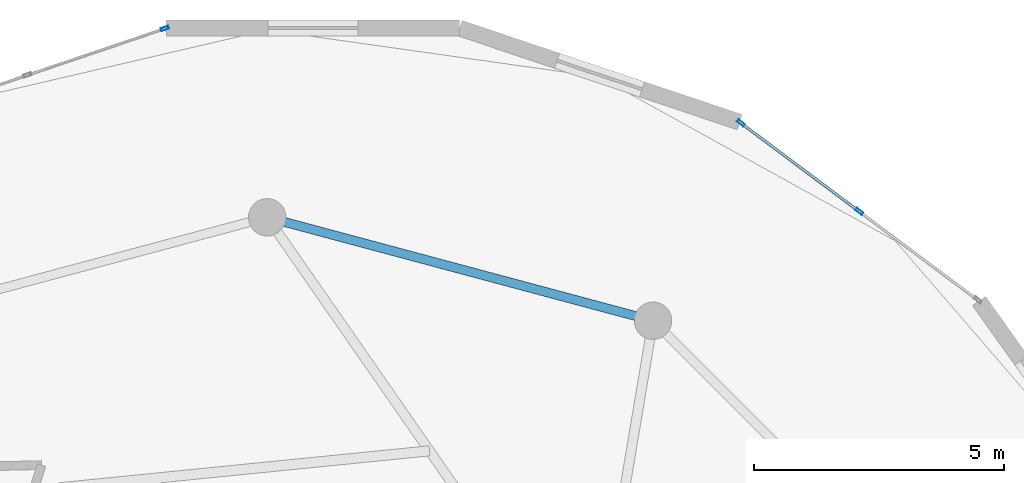
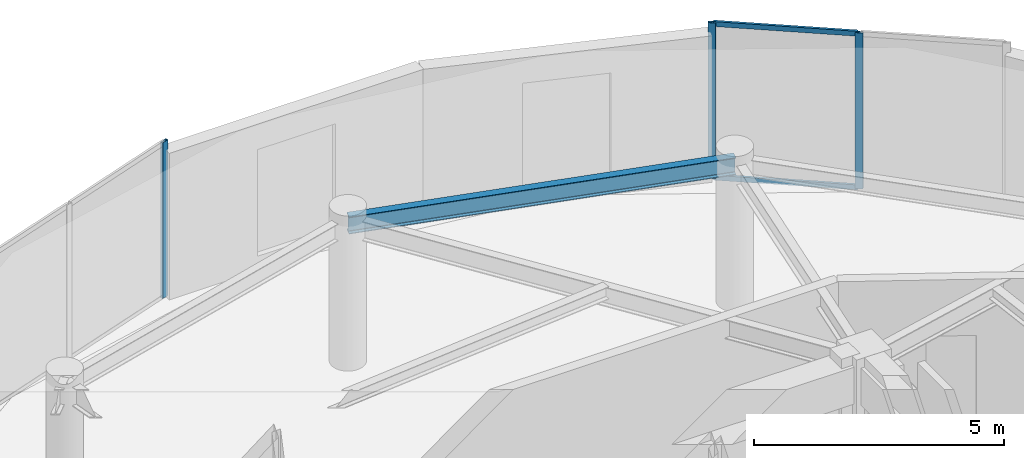
# One storey, part 11 of 18: 5 members, 1 beam, 2 elements without a shape of their own.
"""IFC4 building model written with IfcOpenShell, lengths in metres."""

from ifc_helpers import new_model, si_unit, direction, frame, origin, origin_2d, place, context, subcontext, project, spatial, hollow_rectangle, i_section, extrude, source, transform, mapped, material, layer, layer_set, material_profile, profile_set, type_object, element, aggregate, save


model = new_model("IFC4")

# Units and contexts
model_context = context("Model", 3, precision=1e-05, world=origin(), true_north=direction((0.0, 1.0)))
body_context = subcontext(model_context, "Body", "Model", "MODEL_VIEW")
ifc_project = project(units=[si_unit("LENGTHUNIT", "METRE"), si_unit("AREAUNIT", "SQUARE_METRE"), si_unit("VOLUMEUNIT", "CUBIC_METRE"), si_unit("PLANEANGLEUNIT", "RADIAN"), si_unit("MASSUNIT", "GRAM", prefix="KILO")], contexts=[model_context])

# Site, building, storey
site_placement = place(None, origin())
site = spatial("IfcSite", under=ifc_project, at=site_placement, CompositionType="ELEMENT")
building_placement = place(site_placement, origin())
building = spatial("IfcBuilding", under=site, at=building_placement, Name="Solvirekh Grand Hotel", CompositionType="ELEMENT")
storey_placement = place(building_placement, frame((0.0, 0.0, 250.60009765625)))
storey = spatial("IfcBuildingStorey", under=building, at=storey_placement, Name="L65", CompositionType="ELEMENT", Elevation=250.60009765625)

# Beam
ifc_material_1 = material(Name="Steel S355", Category="steel")
ifc_material_profile_1 = material_profile(ifc_material_1, i_section(OverallWidth=0.180908203125, OverallDepth=0.4169921875, WebThickness=0.010009765625, FlangeThickness=0.01611328125, FilletRadius=0.011962890625, at=origin_2d()), Name="W410X85")
ifc_profile_set_1 = profile_set([ifc_material_profile_1], Name="Steel S355")
beam_type = type_object("IfcBeamType", Name="Spandrel_Ring_W410", PredefinedType="SPANDREL", material=ifc_profile_set_1)
beam_placement = place(storey_placement, frame((7.72509765625, 13.3798828125, 3.36181640625), z_axis=(-0.965921616143, 0.258834757072, 0.0), x_axis=(-0.258834757072, -0.965921616143, 0.0)))
element("IfcBeam", 1, at=beam_placement, inside=storey, type_object=beam_type, Name="L65 perimeter spandrel beam 3", PredefinedType="SPANDREL", context=body_context, shape_type="SweptSolid", body=[
    extrude(i_section(OverallWidth=0.180908203125, OverallDepth=0.4169921875, WebThickness=0.010009765625, FlangeThickness=0.01611328125, FilletRadius=0.011962890625, at=origin_2d()), origin(), (0.0, 0.0, 1.0), 7.99755859375),
])

# Curtain wall, members
ifc_material_2 = material(Name="Anodized Bronze Aluminium 6063-T6", Category="aluminium")
ifc_layer = layer(ifc_material_2, 0.159912109375)
ifc_layer_set = layer_set([ifc_layer], Name="Anodized Bronze Aluminium 6063-T6")
curtain_wall_type = type_object("IfcCurtainWallType", Name="CW_Sys4_HighZoneFlushBronzeCW", PredefinedType="NOTDEFINED", material=ifc_layer_set)
curtain_wall_1_placement = place(storey_placement, origin())
curtain_wall_1 = element("IfcCurtainWall", 2, at=curtain_wall_1_placement, inside=storey, type_object=curtain_wall_type, Name="L65 unitised bronze-glass curtain wall CW-L65-C08", PredefinedType="NOTDEFINED")
ifc_material_profile_2 = material_profile(ifc_material_2, hollow_rectangle(XDim=0.06005859375, YDim=0.159912109375, WallThickness=0.0048828125, at=origin_2d()), Name="ALU RHS 160X60X5")
ifc_profile_set_2 = profile_set([ifc_material_profile_2], Name="Anodized Bronze Aluminium 6063-T6")
member_type_1 = type_object("IfcMemberType", Name="CWMullion_Sys4", PredefinedType="MULLION", material=ifc_profile_set_2)
shared_shape_1 = source(origin(), body_context, "Body", "SweptSolid", [
    extrude(hollow_rectangle(XDim=0.06005859375, YDim=0.159912109375, WallThickness=0.0048828125, at=origin_2d()), origin(), (0.0, 0.0, 1.0), 3.7998046875),
])
member_1_placement = place(storey_placement, frame((11.85595703125, 15.56689453125, 0.0), z_axis=(0.0, 0.0, 1.0), x_axis=(-0.598555271523, -0.801081510791, 0.0)))
member_1 = element("IfcMember", 3, at=member_1_placement, type_object=member_type_1, Name="U04 mullion 2", PredefinedType="MULLION", context=body_context, shape_type="MappedRepresentation", body=[
    mapped(shared_shape_1, transform((0.0, 0.0, 0.0), x_axis=(1.0, 0.0, 0.0), y_axis=(0.0, 1.0, 0.0), z_axis=(0.0, 0.0, 1.0), scale=1.0)),
])
member_2_placement = place(storey_placement, frame((9.483154296875, 17.340087890625, 0.0), z_axis=(0.0, 0.0, 1.0), x_axis=(-0.598555271523, -0.801081510791, 0.0)))
member_2 = element("IfcMember", 4, at=member_2_placement, type_object=member_type_1, Name="U04 mullion 3", PredefinedType="MULLION", context=body_context, shape_type="MappedRepresentation", body=[
    mapped(shared_shape_1, transform((0.0, 0.0, 0.0), x_axis=(1.0, 0.0, 0.0), y_axis=(0.0, 1.0, 0.0), z_axis=(0.0, 0.0, 1.0), scale=1.0)),
])

# Curtain wall, member
curtain_wall_2_placement = place(storey_placement, origin())
curtain_wall_2 = element("IfcCurtainWall", 5, at=curtain_wall_2_placement, inside=storey, type_object=curtain_wall_type, Name="L65 unitised bronze-glass curtain wall CW-L65-C11", PredefinedType="NOTDEFINED")
member_3_placement = place(storey_placement, frame((-2.04931640625, 19.23046875, 0.0), z_axis=(0.0, 0.0, 1.0), x_axis=(0.32082181706, -0.947139568225, 0.0)))
member_3 = element("IfcMember", 6, at=member_3_placement, type_object=member_type_1, Name="U04 mullion 1", PredefinedType="MULLION", context=body_context, shape_type="MappedRepresentation", body=[
    mapped(shared_shape_1, transform((0.0, 0.0, 0.0), x_axis=(1.0, 0.0, 0.0), y_axis=(0.0, 1.0, 0.0), z_axis=(0.0, 0.0, 1.0), scale=1.0)),
])
aggregate(curtain_wall_2, [member_3])

# Member
ifc_material_profile_3 = material_profile(ifc_material_2, hollow_rectangle(XDim=0.054931640625, YDim=0.1201171875, WallThickness=0.00390625, at=origin_2d()), Name="ALU RHS 120X55X4")
ifc_profile_set_3 = profile_set([ifc_material_profile_3], Name="Anodized Bronze Aluminium 6063-T6")
member_type_2 = type_object("IfcMemberType", Name="CWTransom_Sys4", PredefinedType="USERDEFINED", material=ifc_profile_set_3)
shared_shape_2 = source(origin(), body_context, "Body", "SweptSolid", [
    extrude(hollow_rectangle(XDim=0.054931640625, YDim=0.1201171875, WallThickness=0.00390625, at=origin_2d()), origin(), (0.0, 0.0, 1.0), 2.902099609375),
])
member_4_placement = place(storey_placement, frame((11.83203125, 15.5849609375, 0.02734375), z_axis=(-0.801098977628, 0.598531893923, 0.0), x_axis=(-0.598531893923, -0.801098977628, 0.0)))
member_4 = element("IfcMember", 7, at=member_4_placement, type_object=member_type_2, Name="U04 transom 2.1", ObjectType="TRANSOM", PredefinedType="USERDEFINED", context=body_context, shape_type="MappedRepresentation", body=[
    mapped(shared_shape_2, transform((0.0, 0.0, 0.0), x_axis=(1.0, 0.0, 0.0), y_axis=(0.0, 1.0, 0.0), z_axis=(0.0, 0.0, 1.0), scale=1.0)),
])

member_5_placement = place(storey_placement, frame((11.83203125, 15.5849609375, 3.7724609375), z_axis=(-0.801098977628, 0.598531893923, 0.0), x_axis=(-0.598531893923, -0.801098977628, 0.0)))
member_5 = element("IfcMember", 8, at=member_5_placement, type_object=member_type_2, Name="U04 transom 2.2", ObjectType="TRANSOM", PredefinedType="USERDEFINED", context=body_context, shape_type="MappedRepresentation", body=[
    mapped(shared_shape_2, transform((0.0, 0.0, 0.0), x_axis=(1.0, 0.0, 0.0), y_axis=(0.0, 1.0, 0.0), z_axis=(0.0, 0.0, 1.0), scale=1.0)),
])

aggregate(curtain_wall_1, [member_1, member_2, member_4, member_5])

save(model, "model.ifc")
